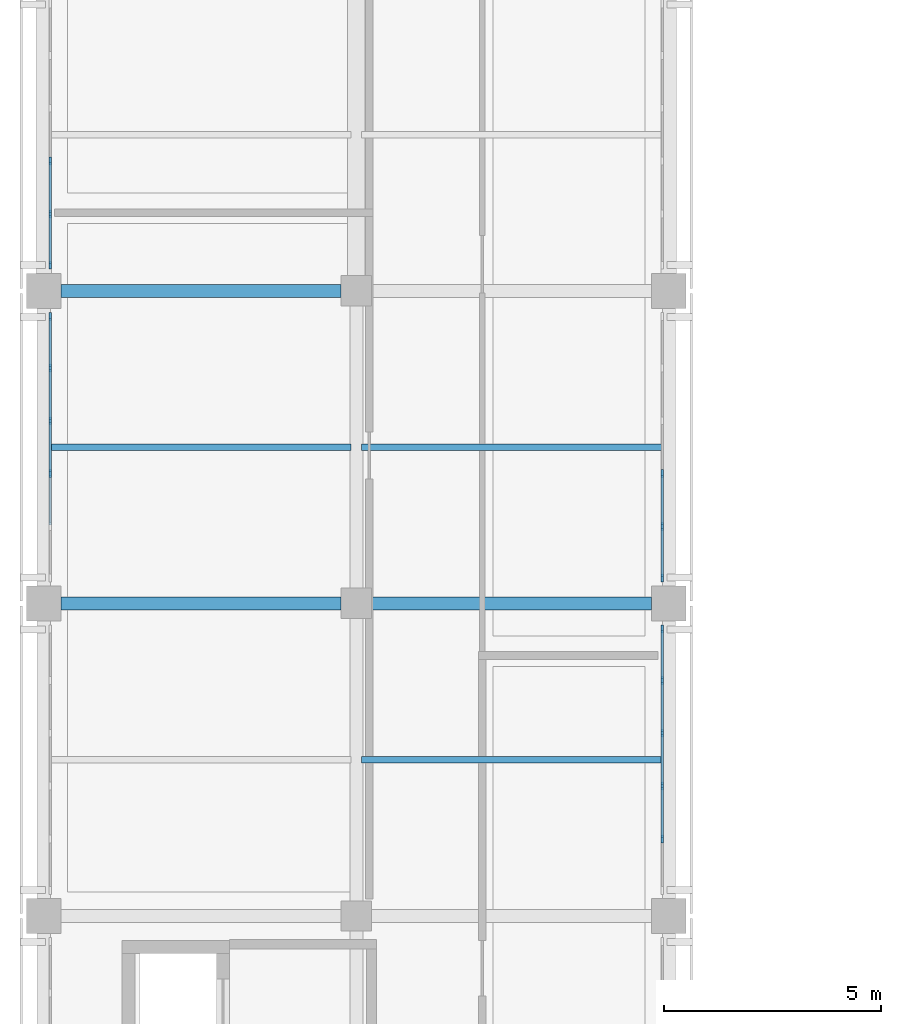
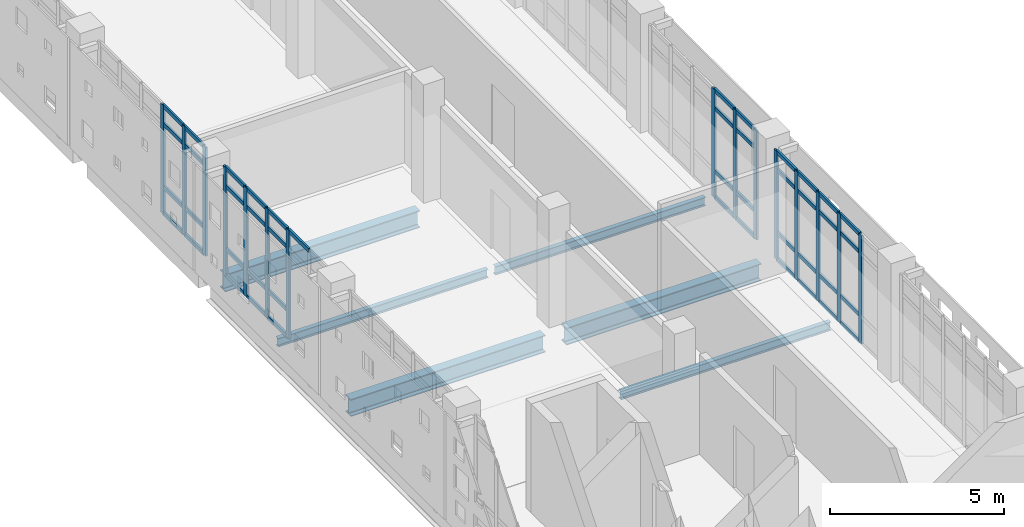
# One storey, part 10 of 33: 60 members, 6 beams, 4 elements without a shape of their own.
"""IFC4 building model written with IfcOpenShell, lengths in metres."""

from ifc_helpers import new_model, si_unit, direction, frame, origin, origin_2d, place, context, subcontext, project, spatial, rectangle, i_section, extrude, material, layer, layer_set, material_profile, profile_set, type_object, element, aggregate, save


model = new_model("IFC4")

# Units and contexts
model_context = context("Model", 3, precision=1e-05, world=origin(), true_north=direction((0.0, 1.0)))
body_context = subcontext(model_context, "Body", "Model", "MODEL_VIEW")
ifc_project = project(units=[si_unit("LENGTHUNIT", "METRE"), si_unit("AREAUNIT", "SQUARE_METRE"), si_unit("VOLUMEUNIT", "CUBIC_METRE"), si_unit("PLANEANGLEUNIT", "RADIAN"), si_unit("MASSUNIT", "GRAM", prefix="KILO")], contexts=[model_context])

# Site, building, storey
site_placement = place(None, origin())
site = spatial("IfcSite", under=ifc_project, at=site_placement, CompositionType="ELEMENT")
building_placement = place(site_placement, origin())
building = spatial("IfcBuilding", under=site, at=building_placement, Name="Valkovuoma Quantum and Materials Research Institute", CompositionType="ELEMENT")
storey_placement = place(building_placement, frame((0.0, 0.0, 25.60009765625)))
storey = spatial("IfcBuildingStorey", under=building, at=storey_placement, Name="L06", CompositionType="ELEMENT", Elevation=25.60009765625)

# Beams
ifc_material_1 = material(Name="Steel S355J2", Category="steel")
ifc_material_profile_1 = material_profile(ifc_material_1, i_section(OverallWidth=0.300048828125, OverallDepth=0.60009765625, WebThickness=0.015380859375, FlangeThickness=0.030029296875, FilletRadius=0.027099609375, at=origin_2d()), Name="Steel S355J2")
ifc_profile_set_1 = profile_set([ifc_material_profile_1], Name="Steel S355J2")
beam_type_1 = type_object("IfcBeamType", Name="Beam-B-HEB600", PredefinedType="BEAM", material=ifc_profile_set_1)
beam_1_placement = place(storey_placement, frame((0.39990234375, 50.39990234375, -0.650146484375), z_axis=(1.0, 0.0, 0.0), x_axis=(0.0, 1.0, 0.0)))
element("IfcBeam", 1, at=beam_1_placement, inside=storey, type_object=beam_type_1, Name="L06 beam X-2328", PredefinedType="BEAM", context=body_context, shape_type="SweptSolid", body=[
    extrude(i_section(OverallWidth=0.300048828125, OverallDepth=0.60009765625, WebThickness=0.015380859375, FlangeThickness=0.030029296875, FilletRadius=0.027099609375, at=origin_2d()), origin(), (0.0, 0.0, 1.0), 6.4501953125),
])
beam_2_placement = place(storey_placement, frame((7.550048828125, 50.39990234375, -0.650146484375), z_axis=(1.0, 0.0, 0.0), x_axis=(0.0, 1.0, 0.0)))
element("IfcBeam", 2, at=beam_2_placement, inside=storey, type_object=beam_type_1, Name="L06 beam X-2329", PredefinedType="BEAM", context=body_context, shape_type="SweptSolid", body=[
    extrude(i_section(OverallWidth=0.300048828125, OverallDepth=0.60009765625, WebThickness=0.015380859375, FlangeThickness=0.030029296875, FilletRadius=0.027099609375, at=origin_2d()), origin(), (0.0, 0.0, 1.0), 6.449951171875),
])
beam_3_placement = place(storey_placement, frame((0.39990234375, 57.60009765625, -0.650146484375), z_axis=(1.0, 0.0, 0.0), x_axis=(0.0, 1.0, 0.0)))
element("IfcBeam", 3, at=beam_3_placement, inside=storey, type_object=beam_type_1, Name="L06 beam X-2330", PredefinedType="BEAM", context=body_context, shape_type="SweptSolid", body=[
    extrude(i_section(OverallWidth=0.300048828125, OverallDepth=0.60009765625, WebThickness=0.015380859375, FlangeThickness=0.030029296875, FilletRadius=0.027099609375, at=origin_2d()), origin(), (0.0, 0.0, 1.0), 6.4501953125),
])
ifc_material_2 = material(Name="Steel S355J2", Category="steel")
ifc_material_profile_2 = material_profile(ifc_material_2, i_section(OverallWidth=0.14990234375, OverallDepth=0.300048828125, WebThickness=0.007080078125, FlangeThickness=0.0107421875, FilletRadius=0.014892578125, at=origin_2d()), Name="Steel S355J2")
ifc_profile_set_2 = profile_set([ifc_material_profile_2], Name="Steel S355J2")
beam_type_2 = type_object("IfcBeamType", Name="Beam-B-JST300", PredefinedType="JOIST", material=ifc_profile_set_2)
for number, where, z_axis, x_axis, name in (
    (4, (7.320068359375, 46.800048828125, -0.5), (1.0, 0.0, 0.0), (0.0, 1.0, 0.0), "L06 floor joist 2445"),
    (5, (0.1201171875, 54.0, -0.5), (1.0, 0.0, 0.0), (0.0, 1.0, 0.0), "L06 floor joist 2446"),
    (6, (7.320068359375, 54.0, -0.5), (1.0, 0.0, 0.0), (0.0, 1.0, 0.0), "L06 floor joist 2447"),
):
    element("IfcBeam", number, at=place(storey_placement, frame(where, z_axis=z_axis, x_axis=x_axis)), inside=storey, type_object=beam_type_2, Name=name, PredefinedType="JOIST", context=body_context, shape_type="SweptSolid", body=[
        extrude(i_section(OverallWidth=0.14990234375, OverallDepth=0.300048828125, WebThickness=0.007080078125, FlangeThickness=0.0107421875, FilletRadius=0.014892578125, at=origin_2d()), origin(), (0.0, 0.0, 1.0), 6.9599609375),
    ])

# Curtain wall, members
ifc_material_3 = material(Name="Thermally broken aluminium and triple low-E glazing", Category="aluminium")
ifc_layer = layer(ifc_material_3, 0.219970703125)
ifc_layer_set = layer_set([ifc_layer], Name="Thermally broken aluminium and triple low-E glazing")
curtain_wall_type = type_object("IfcCurtainWallType", Name="CW-CW-01", PredefinedType="NOTDEFINED", material=ifc_layer_set)
curtain_wall_1_placement = place(storey_placement, origin())
curtain_wall_1 = element("IfcCurtainWall", 7, at=curtain_wall_1_placement, inside=storey, type_object=curtain_wall_type, Name="L06 curtain wall 079", PredefinedType="NOTDEFINED")
ifc_material_4 = material(Name="Anodised aluminium 6060-T66", Category="aluminium")
ifc_material_profile_3 = material_profile(ifc_material_4, rectangle(XDim=0.06494140625, YDim=0.179931640625, at=origin_2d()), Name="Anodised aluminium 6060-T66")
ifc_profile_set_3 = profile_set([ifc_material_profile_3], Name="Anodised aluminium 6060-T66")
member_type_1 = type_object("IfcMemberType", Name="CWMull-CWM-01", PredefinedType="MULLION", material=ifc_profile_set_3)
member_1_placement = place(storey_placement, frame((14.25, 44.974365234375, 0.0), z_axis=(0.0, 0.0, 1.0), x_axis=(-1.0, 0.0, 0.0)))
member_1 = element("IfcMember", 8, at=member_1_placement, type_object=member_type_1, Name="CW-01 mullion 2", PredefinedType="MULLION", context=body_context, shape_type="SweptSolid", body=[
    extrude(rectangle(XDim=0.06494140625, YDim=0.179931640625, at=origin_2d()), origin(), (0.0, 0.0, 1.0), 3.809814453125),
])
member_2_placement = place(storey_placement, frame((14.25, 46.19140625, 0.0), z_axis=(0.0, 0.0, 1.0), x_axis=(-1.0, 0.0, 0.0)))
member_2 = element("IfcMember", 9, at=member_2_placement, type_object=member_type_1, Name="CW-01 mullion 3", PredefinedType="MULLION", context=body_context, shape_type="SweptSolid", body=[
    extrude(rectangle(XDim=0.06494140625, YDim=0.179931640625, at=origin_2d()), origin(), (0.0, 0.0, 1.0), 3.809814453125),
])
member_3_placement = place(storey_placement, frame((14.25, 47.40869140625, 0.0), z_axis=(0.0, 0.0, 1.0), x_axis=(-1.0, 0.0, 0.0)))
member_3 = element("IfcMember", 10, at=member_3_placement, type_object=member_type_1, Name="CW-01 mullion 4", PredefinedType="MULLION", context=body_context, shape_type="SweptSolid", body=[
    extrude(rectangle(XDim=0.06494140625, YDim=0.179931640625, at=origin_2d()), origin(), (0.0, 0.0, 1.0), 3.809814453125),
])
member_4_placement = place(storey_placement, frame((14.25, 48.625732421875, 0.0), z_axis=(0.0, 0.0, 1.0), x_axis=(-1.0, 0.0, 0.0)))
member_4 = element("IfcMember", 11, at=member_4_placement, type_object=member_type_1, Name="CW-01 mullion 5", PredefinedType="MULLION", context=body_context, shape_type="SweptSolid", body=[
    extrude(rectangle(XDim=0.06494140625, YDim=0.179931640625, at=origin_2d()), origin(), (0.0, 0.0, 1.0), 3.809814453125),
])
member_5_placement = place(storey_placement, frame((14.25, 49.810302734375, 0.0), z_axis=(0.0, 0.0, 1.0), x_axis=(-1.0, 0.0, 0.0)))
member_5 = element("IfcMember", 12, at=member_5_placement, type_object=member_type_1, Name="CW-01 mullion 6", PredefinedType="MULLION", context=body_context, shape_type="SweptSolid", body=[
    extrude(rectangle(XDim=0.06494140625, YDim=0.179931640625, at=origin_2d()), origin(), (0.0, 0.0, 1.0), 3.809814453125),
])

curtain_wall_2_placement = place(storey_placement, origin())
curtain_wall_2 = element("IfcCurtainWall", 13, at=curtain_wall_2_placement, inside=storey, type_object=curtain_wall_type, Name="L06 curtain wall 080", PredefinedType="NOTDEFINED")
member_6_placement = place(storey_placement, frame((0.14990234375, 53.391357421875, 0.0), z_axis=(0.0, 0.0, 1.0), x_axis=(-1.0, 0.0, 0.0)))
member_6 = element("IfcMember", 14, at=member_6_placement, type_object=member_type_1, Name="CW-01 mullion 3", PredefinedType="MULLION", context=body_context, shape_type="SweptSolid", body=[
    extrude(rectangle(XDim=0.06494140625, YDim=0.179931640625, at=origin_2d()), origin(), (0.0, 0.0, 1.0), 3.809814453125),
])
member_7_placement = place(storey_placement, frame((0.14990234375, 54.608642578125, 0.0), z_axis=(0.0, 0.0, 1.0), x_axis=(-1.0, 0.0, 0.0)))
member_7 = element("IfcMember", 15, at=member_7_placement, type_object=member_type_1, Name="CW-01 mullion 4", PredefinedType="MULLION", context=body_context, shape_type="SweptSolid", body=[
    extrude(rectangle(XDim=0.06494140625, YDim=0.179931640625, at=origin_2d()), origin(), (0.0, 0.0, 1.0), 3.809814453125),
])
member_8_placement = place(storey_placement, frame((0.14990234375, 55.82568359375, 0.0), z_axis=(0.0, 0.0, 1.0), x_axis=(-1.0, 0.0, 0.0)))
member_8 = element("IfcMember", 16, at=member_8_placement, type_object=member_type_1, Name="CW-01 mullion 5", PredefinedType="MULLION", context=body_context, shape_type="SweptSolid", body=[
    extrude(rectangle(XDim=0.06494140625, YDim=0.179931640625, at=origin_2d()), origin(), (0.0, 0.0, 1.0), 3.809814453125),
])
member_9_placement = place(storey_placement, frame((0.14990234375, 57.010498046875, 0.0), z_axis=(0.0, 0.0, 1.0), x_axis=(-1.0, 0.0, 0.0)))
member_9 = element("IfcMember", 17, at=member_9_placement, type_object=member_type_1, Name="CW-01 mullion 6", PredefinedType="MULLION", context=body_context, shape_type="SweptSolid", body=[
    extrude(rectangle(XDim=0.06494140625, YDim=0.179931640625, at=origin_2d()), origin(), (0.0, 0.0, 1.0), 3.809814453125),
])

curtain_wall_3_placement = place(storey_placement, origin())
curtain_wall_3 = element("IfcCurtainWall", 18, at=curtain_wall_3_placement, inside=storey, type_object=curtain_wall_type, Name="L06 curtain wall 081", PredefinedType="NOTDEFINED")
member_10_placement = place(storey_placement, frame((14.25, 50.989501953125, 0.0), z_axis=(0.0, 0.0, 1.0), x_axis=(-1.0, 0.0, 0.0)))
member_10 = element("IfcMember", 19, at=member_10_placement, type_object=member_type_1, Name="CW-01 mullion 1", PredefinedType="MULLION", context=body_context, shape_type="SweptSolid", body=[
    extrude(rectangle(XDim=0.06494140625, YDim=0.179931640625, at=origin_2d()), origin(), (0.0, 0.0, 1.0), 3.809814453125),
])
member_11_placement = place(storey_placement, frame((14.25, 52.17431640625, 0.0), z_axis=(0.0, 0.0, 1.0), x_axis=(-1.0, 0.0, 0.0)))
member_11 = element("IfcMember", 20, at=member_11_placement, type_object=member_type_1, Name="CW-01 mullion 2", PredefinedType="MULLION", context=body_context, shape_type="SweptSolid", body=[
    extrude(rectangle(XDim=0.06494140625, YDim=0.179931640625, at=origin_2d()), origin(), (0.0, 0.0, 1.0), 3.809814453125),
])
member_12_placement = place(storey_placement, frame((14.25, 53.391357421875, 0.0), z_axis=(0.0, 0.0, 1.0), x_axis=(-1.0, 0.0, 0.0)))
member_12 = element("IfcMember", 21, at=member_12_placement, type_object=member_type_1, Name="CW-01 mullion 3", PredefinedType="MULLION", context=body_context, shape_type="SweptSolid", body=[
    extrude(rectangle(XDim=0.06494140625, YDim=0.179931640625, at=origin_2d()), origin(), (0.0, 0.0, 1.0), 3.809814453125),
])

curtain_wall_4_placement = place(storey_placement, origin())
curtain_wall_4 = element("IfcCurtainWall", 22, at=curtain_wall_4_placement, inside=storey, type_object=curtain_wall_type, Name="L06 curtain wall 082", PredefinedType="NOTDEFINED")
member_13_placement = place(storey_placement, frame((0.14990234375, 58.189697265625, 0.0), z_axis=(0.0, 0.0, 1.0), x_axis=(-1.0, 0.0, 0.0)))
member_13 = element("IfcMember", 23, at=member_13_placement, type_object=member_type_1, Name="CW-01 mullion 1", PredefinedType="MULLION", context=body_context, shape_type="SweptSolid", body=[
    extrude(rectangle(XDim=0.06494140625, YDim=0.179931640625, at=origin_2d()), origin(), (0.0, 0.0, 1.0), 3.809814453125),
])
member_14_placement = place(storey_placement, frame((0.14990234375, 59.374267578125, 0.0), z_axis=(0.0, 0.0, 1.0), x_axis=(-1.0, 0.0, 0.0)))
member_14 = element("IfcMember", 24, at=member_14_placement, type_object=member_type_1, Name="CW-01 mullion 2", PredefinedType="MULLION", context=body_context, shape_type="SweptSolid", body=[
    extrude(rectangle(XDim=0.06494140625, YDim=0.179931640625, at=origin_2d()), origin(), (0.0, 0.0, 1.0), 3.809814453125),
])
member_15_placement = place(storey_placement, frame((0.14990234375, 60.59130859375, 0.0), z_axis=(0.0, 0.0, 1.0), x_axis=(-1.0, 0.0, 0.0)))
member_15 = element("IfcMember", 25, at=member_15_placement, type_object=member_type_1, Name="CW-01 mullion 3", PredefinedType="MULLION", context=body_context, shape_type="SweptSolid", body=[
    extrude(rectangle(XDim=0.06494140625, YDim=0.179931640625, at=origin_2d()), origin(), (0.0, 0.0, 1.0), 3.809814453125),
])

# Member
ifc_material_5 = material(Name="Anodised aluminium 6060-T66", Category="aluminium")
ifc_material_profile_4 = material_profile(ifc_material_5, rectangle(XDim=0.06494140625, YDim=0.139892578125, at=origin_2d()), Name="Anodised aluminium 6060-T66")
ifc_profile_set_4 = profile_set([ifc_material_profile_4], Name="Anodised aluminium 6060-T66")
member_type_2 = type_object("IfcMemberType", Name="CWTran-CWT-01", PredefinedType="USERDEFINED", material=ifc_profile_set_4)
member_16_placement = place(storey_placement, frame((14.25, 45.0068359375, 0.032470703125), z_axis=(0.0, 1.0, 0.0), x_axis=(-1.0, 0.0, 0.0)))
member_16 = element("IfcMember", 26, at=member_16_placement, type_object=member_type_2, Name="CW-01 transom 2.1", ObjectType="TRANSOM", PredefinedType="USERDEFINED", context=body_context, shape_type="SweptSolid", body=[
    extrude(rectangle(XDim=0.06494140625, YDim=0.139892578125, at=origin_2d()), origin(), (0.0, 0.0, 1.0), 1.152099609375),
])

member_17_placement = place(storey_placement, frame((14.25, 45.0068359375, 0.949951171875), z_axis=(0.0, 1.0, 0.0), x_axis=(-1.0, 0.0, 0.0)))
member_17 = element("IfcMember", 27, at=member_17_placement, type_object=member_type_2, Name="CW-01 transom 2.2", ObjectType="TRANSOM", PredefinedType="USERDEFINED", context=body_context, shape_type="SweptSolid", body=[
    extrude(rectangle(XDim=0.06494140625, YDim=0.139892578125, at=origin_2d()), origin(), (0.0, 0.0, 1.0), 1.152099609375),
])

member_18_placement = place(storey_placement, frame((14.25, 45.0068359375, 3.159912109375), z_axis=(0.0, 1.0, 0.0), x_axis=(-1.0, 0.0, 0.0)))
member_18 = element("IfcMember", 28, at=member_18_placement, type_object=member_type_2, Name="CW-01 transom 2.3", ObjectType="TRANSOM", PredefinedType="USERDEFINED", context=body_context, shape_type="SweptSolid", body=[
    extrude(rectangle(XDim=0.06494140625, YDim=0.139892578125, at=origin_2d()), origin(), (0.0, 0.0, 1.0), 1.152099609375),
])

member_19_placement = place(storey_placement, frame((14.25, 45.0068359375, 3.77734375), z_axis=(0.0, 1.0, 0.0), x_axis=(-1.0, 0.0, 0.0)))
member_19 = element("IfcMember", 29, at=member_19_placement, type_object=member_type_2, Name="CW-01 transom 2.4", ObjectType="TRANSOM", PredefinedType="USERDEFINED", context=body_context, shape_type="SweptSolid", body=[
    extrude(rectangle(XDim=0.06494140625, YDim=0.139892578125, at=origin_2d()), origin(), (0.0, 0.0, 1.0), 1.152099609375),
])

member_20_placement = place(storey_placement, frame((14.25, 46.223876953125, 0.032470703125), z_axis=(0.0, 1.0, 0.0), x_axis=(-1.0, 0.0, 0.0)))
member_20 = element("IfcMember", 30, at=member_20_placement, type_object=member_type_2, Name="CW-01 transom 3.1", ObjectType="TRANSOM", PredefinedType="USERDEFINED", context=body_context, shape_type="SweptSolid", body=[
    extrude(rectangle(XDim=0.06494140625, YDim=0.139892578125, at=origin_2d()), origin(), (0.0, 0.0, 1.0), 1.152099609375),
])

member_21_placement = place(storey_placement, frame((14.25, 46.223876953125, 0.949951171875), z_axis=(0.0, 1.0, 0.0), x_axis=(-1.0, 0.0, 0.0)))
member_21 = element("IfcMember", 31, at=member_21_placement, type_object=member_type_2, Name="CW-01 transom 3.2", ObjectType="TRANSOM", PredefinedType="USERDEFINED", context=body_context, shape_type="SweptSolid", body=[
    extrude(rectangle(XDim=0.06494140625, YDim=0.139892578125, at=origin_2d()), origin(), (0.0, 0.0, 1.0), 1.152099609375),
])

member_22_placement = place(storey_placement, frame((14.25, 46.223876953125, 3.159912109375), z_axis=(0.0, 1.0, 0.0), x_axis=(-1.0, 0.0, 0.0)))
member_22 = element("IfcMember", 32, at=member_22_placement, type_object=member_type_2, Name="CW-01 transom 3.3", ObjectType="TRANSOM", PredefinedType="USERDEFINED", context=body_context, shape_type="SweptSolid", body=[
    extrude(rectangle(XDim=0.06494140625, YDim=0.139892578125, at=origin_2d()), origin(), (0.0, 0.0, 1.0), 1.152099609375),
])

member_23_placement = place(storey_placement, frame((14.25, 46.223876953125, 3.77734375), z_axis=(0.0, 1.0, 0.0), x_axis=(-1.0, 0.0, 0.0)))
member_23 = element("IfcMember", 33, at=member_23_placement, type_object=member_type_2, Name="CW-01 transom 3.4", ObjectType="TRANSOM", PredefinedType="USERDEFINED", context=body_context, shape_type="SweptSolid", body=[
    extrude(rectangle(XDim=0.06494140625, YDim=0.139892578125, at=origin_2d()), origin(), (0.0, 0.0, 1.0), 1.152099609375),
])

member_24_placement = place(storey_placement, frame((14.25, 47.441162109375, 0.032470703125), z_axis=(0.0, 1.0, 0.0), x_axis=(-1.0, 0.0, 0.0)))
member_24 = element("IfcMember", 34, at=member_24_placement, type_object=member_type_2, Name="CW-01 transom 4.1", ObjectType="TRANSOM", PredefinedType="USERDEFINED", context=body_context, shape_type="SweptSolid", body=[
    extrude(rectangle(XDim=0.06494140625, YDim=0.139892578125, at=origin_2d()), origin(), (0.0, 0.0, 1.0), 1.152099609375),
])

member_25_placement = place(storey_placement, frame((14.25, 47.441162109375, 0.949951171875), z_axis=(0.0, 1.0, 0.0), x_axis=(-1.0, 0.0, 0.0)))
member_25 = element("IfcMember", 35, at=member_25_placement, type_object=member_type_2, Name="CW-01 transom 4.2", ObjectType="TRANSOM", PredefinedType="USERDEFINED", context=body_context, shape_type="SweptSolid", body=[
    extrude(rectangle(XDim=0.06494140625, YDim=0.139892578125, at=origin_2d()), origin(), (0.0, 0.0, 1.0), 1.152099609375),
])

member_26_placement = place(storey_placement, frame((14.25, 47.441162109375, 3.159912109375), z_axis=(0.0, 1.0, 0.0), x_axis=(-1.0, 0.0, 0.0)))
member_26 = element("IfcMember", 36, at=member_26_placement, type_object=member_type_2, Name="CW-01 transom 4.3", ObjectType="TRANSOM", PredefinedType="USERDEFINED", context=body_context, shape_type="SweptSolid", body=[
    extrude(rectangle(XDim=0.06494140625, YDim=0.139892578125, at=origin_2d()), origin(), (0.0, 0.0, 1.0), 1.152099609375),
])

member_27_placement = place(storey_placement, frame((14.25, 47.441162109375, 3.77734375), z_axis=(0.0, 1.0, 0.0), x_axis=(-1.0, 0.0, 0.0)))
member_27 = element("IfcMember", 37, at=member_27_placement, type_object=member_type_2, Name="CW-01 transom 4.4", ObjectType="TRANSOM", PredefinedType="USERDEFINED", context=body_context, shape_type="SweptSolid", body=[
    extrude(rectangle(XDim=0.06494140625, YDim=0.139892578125, at=origin_2d()), origin(), (0.0, 0.0, 1.0), 1.152099609375),
])

member_28_placement = place(storey_placement, frame((14.25, 48.658203125, 0.032470703125), z_axis=(0.0, 1.0, 0.0), x_axis=(-1.0, 0.0, 0.0)))
member_28 = element("IfcMember", 38, at=member_28_placement, type_object=member_type_2, Name="CW-01 transom 5.1", ObjectType="TRANSOM", PredefinedType="USERDEFINED", context=body_context, shape_type="SweptSolid", body=[
    extrude(rectangle(XDim=0.06494140625, YDim=0.139892578125, at=origin_2d()), origin(), (0.0, 0.0, 1.0), 1.11962890625),
])

member_29_placement = place(storey_placement, frame((14.25, 48.658203125, 0.949951171875), z_axis=(0.0, 1.0, 0.0), x_axis=(-1.0, 0.0, 0.0)))
member_29 = element("IfcMember", 39, at=member_29_placement, type_object=member_type_2, Name="CW-01 transom 5.2", ObjectType="TRANSOM", PredefinedType="USERDEFINED", context=body_context, shape_type="SweptSolid", body=[
    extrude(rectangle(XDim=0.06494140625, YDim=0.139892578125, at=origin_2d()), origin(), (0.0, 0.0, 1.0), 1.11962890625),
])

member_30_placement = place(storey_placement, frame((14.25, 48.658203125, 3.159912109375), z_axis=(0.0, 1.0, 0.0), x_axis=(-1.0, 0.0, 0.0)))
member_30 = element("IfcMember", 40, at=member_30_placement, type_object=member_type_2, Name="CW-01 transom 5.3", ObjectType="TRANSOM", PredefinedType="USERDEFINED", context=body_context, shape_type="SweptSolid", body=[
    extrude(rectangle(XDim=0.06494140625, YDim=0.139892578125, at=origin_2d()), origin(), (0.0, 0.0, 1.0), 1.11962890625),
])

member_31_placement = place(storey_placement, frame((14.25, 48.658203125, 3.77734375), z_axis=(0.0, 1.0, 0.0), x_axis=(-1.0, 0.0, 0.0)))
member_31 = element("IfcMember", 41, at=member_31_placement, type_object=member_type_2, Name="CW-01 transom 5.4", ObjectType="TRANSOM", PredefinedType="USERDEFINED", context=body_context, shape_type="SweptSolid", body=[
    extrude(rectangle(XDim=0.06494140625, YDim=0.139892578125, at=origin_2d()), origin(), (0.0, 0.0, 1.0), 1.11962890625),
])

aggregate(curtain_wall_1, [member_1, member_2, member_3, member_4, member_5, member_16, member_17, member_18, member_19, member_20, member_21, member_22, member_23, member_24, member_25, member_26, member_27, member_28, member_29, member_30, member_31])

member_32_placement = place(storey_placement, frame((0.14990234375, 52.206787109375, 3.77734375), z_axis=(0.0, 1.0, 0.0), x_axis=(-1.0, 0.0, 0.0)))
member_32 = element("IfcMember", 42, at=member_32_placement, type_object=member_type_2, Name="CW-01 transom 2.4", ObjectType="TRANSOM", PredefinedType="USERDEFINED", context=body_context, shape_type="SweptSolid", body=[
    extrude(rectangle(XDim=0.06494140625, YDim=0.139892578125, at=origin_2d()), origin(), (0.0, 0.0, 1.0), 1.152099609375),
])

member_33_placement = place(storey_placement, frame((0.14990234375, 53.423828125, 0.032470703125), z_axis=(0.0, 1.0, 0.0), x_axis=(-1.0, 0.0, 0.0)))
member_33 = element("IfcMember", 43, at=member_33_placement, type_object=member_type_2, Name="CW-01 transom 3.1", ObjectType="TRANSOM", PredefinedType="USERDEFINED", context=body_context, shape_type="SweptSolid", body=[
    extrude(rectangle(XDim=0.06494140625, YDim=0.139892578125, at=origin_2d()), origin(), (0.0, 0.0, 1.0), 1.15234375),
])

member_34_placement = place(storey_placement, frame((0.14990234375, 53.423828125, 0.949951171875), z_axis=(0.0, 1.0, 0.0), x_axis=(-1.0, 0.0, 0.0)))
member_34 = element("IfcMember", 44, at=member_34_placement, type_object=member_type_2, Name="CW-01 transom 3.2", ObjectType="TRANSOM", PredefinedType="USERDEFINED", context=body_context, shape_type="SweptSolid", body=[
    extrude(rectangle(XDim=0.06494140625, YDim=0.139892578125, at=origin_2d()), origin(), (0.0, 0.0, 1.0), 1.15234375),
])

member_35_placement = place(storey_placement, frame((0.14990234375, 53.423828125, 3.159912109375), z_axis=(0.0, 1.0, 0.0), x_axis=(-1.0, 0.0, 0.0)))
member_35 = element("IfcMember", 45, at=member_35_placement, type_object=member_type_2, Name="CW-01 transom 3.3", ObjectType="TRANSOM", PredefinedType="USERDEFINED", context=body_context, shape_type="SweptSolid", body=[
    extrude(rectangle(XDim=0.06494140625, YDim=0.139892578125, at=origin_2d()), origin(), (0.0, 0.0, 1.0), 1.15234375),
])

member_36_placement = place(storey_placement, frame((0.14990234375, 53.423828125, 3.77734375), z_axis=(0.0, 1.0, 0.0), x_axis=(-1.0, 0.0, 0.0)))
member_36 = element("IfcMember", 46, at=member_36_placement, type_object=member_type_2, Name="CW-01 transom 3.4", ObjectType="TRANSOM", PredefinedType="USERDEFINED", context=body_context, shape_type="SweptSolid", body=[
    extrude(rectangle(XDim=0.06494140625, YDim=0.139892578125, at=origin_2d()), origin(), (0.0, 0.0, 1.0), 1.15234375),
])

member_37_placement = place(storey_placement, frame((0.14990234375, 54.64111328125, 0.032470703125), z_axis=(0.0, 1.0, 0.0), x_axis=(-1.0, 0.0, 0.0)))
member_37 = element("IfcMember", 47, at=member_37_placement, type_object=member_type_2, Name="CW-01 transom 4.1", ObjectType="TRANSOM", PredefinedType="USERDEFINED", context=body_context, shape_type="SweptSolid", body=[
    extrude(rectangle(XDim=0.06494140625, YDim=0.139892578125, at=origin_2d()), origin(), (0.0, 0.0, 1.0), 1.152099609375),
])

member_38_placement = place(storey_placement, frame((0.14990234375, 54.64111328125, 0.949951171875), z_axis=(0.0, 1.0, 0.0), x_axis=(-1.0, 0.0, 0.0)))
member_38 = element("IfcMember", 48, at=member_38_placement, type_object=member_type_2, Name="CW-01 transom 4.2", ObjectType="TRANSOM", PredefinedType="USERDEFINED", context=body_context, shape_type="SweptSolid", body=[
    extrude(rectangle(XDim=0.06494140625, YDim=0.139892578125, at=origin_2d()), origin(), (0.0, 0.0, 1.0), 1.152099609375),
])

member_39_placement = place(storey_placement, frame((0.14990234375, 54.64111328125, 3.159912109375), z_axis=(0.0, 1.0, 0.0), x_axis=(-1.0, 0.0, 0.0)))
member_39 = element("IfcMember", 49, at=member_39_placement, type_object=member_type_2, Name="CW-01 transom 4.3", ObjectType="TRANSOM", PredefinedType="USERDEFINED", context=body_context, shape_type="SweptSolid", body=[
    extrude(rectangle(XDim=0.06494140625, YDim=0.139892578125, at=origin_2d()), origin(), (0.0, 0.0, 1.0), 1.152099609375),
])

member_40_placement = place(storey_placement, frame((0.14990234375, 54.64111328125, 3.77734375), z_axis=(0.0, 1.0, 0.0), x_axis=(-1.0, 0.0, 0.0)))
member_40 = element("IfcMember", 50, at=member_40_placement, type_object=member_type_2, Name="CW-01 transom 4.4", ObjectType="TRANSOM", PredefinedType="USERDEFINED", context=body_context, shape_type="SweptSolid", body=[
    extrude(rectangle(XDim=0.06494140625, YDim=0.139892578125, at=origin_2d()), origin(), (0.0, 0.0, 1.0), 1.152099609375),
])

member_41_placement = place(storey_placement, frame((0.14990234375, 55.858154296875, 0.032470703125), z_axis=(0.0, 1.0, 0.0), x_axis=(-1.0, 0.0, 0.0)))
member_41 = element("IfcMember", 51, at=member_41_placement, type_object=member_type_2, Name="CW-01 transom 5.1", ObjectType="TRANSOM", PredefinedType="USERDEFINED", context=body_context, shape_type="SweptSolid", body=[
    extrude(rectangle(XDim=0.06494140625, YDim=0.139892578125, at=origin_2d()), origin(), (0.0, 0.0, 1.0), 1.11962890625),
])

member_42_placement = place(storey_placement, frame((0.14990234375, 55.858154296875, 0.949951171875), z_axis=(0.0, 1.0, 0.0), x_axis=(-1.0, 0.0, 0.0)))
member_42 = element("IfcMember", 52, at=member_42_placement, type_object=member_type_2, Name="CW-01 transom 5.2", ObjectType="TRANSOM", PredefinedType="USERDEFINED", context=body_context, shape_type="SweptSolid", body=[
    extrude(rectangle(XDim=0.06494140625, YDim=0.139892578125, at=origin_2d()), origin(), (0.0, 0.0, 1.0), 1.11962890625),
])

member_43_placement = place(storey_placement, frame((0.14990234375, 55.858154296875, 3.159912109375), z_axis=(0.0, 1.0, 0.0), x_axis=(-1.0, 0.0, 0.0)))
member_43 = element("IfcMember", 53, at=member_43_placement, type_object=member_type_2, Name="CW-01 transom 5.3", ObjectType="TRANSOM", PredefinedType="USERDEFINED", context=body_context, shape_type="SweptSolid", body=[
    extrude(rectangle(XDim=0.06494140625, YDim=0.139892578125, at=origin_2d()), origin(), (0.0, 0.0, 1.0), 1.11962890625),
])

member_44_placement = place(storey_placement, frame((0.14990234375, 55.858154296875, 3.77734375), z_axis=(0.0, 1.0, 0.0), x_axis=(-1.0, 0.0, 0.0)))
member_44 = element("IfcMember", 54, at=member_44_placement, type_object=member_type_2, Name="CW-01 transom 5.4", ObjectType="TRANSOM", PredefinedType="USERDEFINED", context=body_context, shape_type="SweptSolid", body=[
    extrude(rectangle(XDim=0.06494140625, YDim=0.139892578125, at=origin_2d()), origin(), (0.0, 0.0, 1.0), 1.11962890625),
])

aggregate(curtain_wall_2, [member_6, member_7, member_8, member_9, member_32, member_33, member_34, member_35, member_36, member_37, member_38, member_39, member_40, member_41, member_42, member_43, member_44])

member_45_placement = place(storey_placement, frame((14.25, 51.022216796875, 0.032470703125), z_axis=(0.0, 1.0, 0.0), x_axis=(-1.0, 0.0, 0.0)))
member_45 = element("IfcMember", 55, at=member_45_placement, type_object=member_type_2, Name="CW-01 transom 1.1", ObjectType="TRANSOM", PredefinedType="USERDEFINED", context=body_context, shape_type="SweptSolid", body=[
    extrude(rectangle(XDim=0.06494140625, YDim=0.139892578125, at=origin_2d()), origin(), (0.0, 0.0, 1.0), 1.11962890625),
])

member_46_placement = place(storey_placement, frame((14.25, 51.022216796875, 0.949951171875), z_axis=(0.0, 1.0, 0.0), x_axis=(-1.0, 0.0, 0.0)))
member_46 = element("IfcMember", 56, at=member_46_placement, type_object=member_type_2, Name="CW-01 transom 1.2", ObjectType="TRANSOM", PredefinedType="USERDEFINED", context=body_context, shape_type="SweptSolid", body=[
    extrude(rectangle(XDim=0.06494140625, YDim=0.139892578125, at=origin_2d()), origin(), (0.0, 0.0, 1.0), 1.11962890625),
])

member_47_placement = place(storey_placement, frame((14.25, 51.022216796875, 3.159912109375), z_axis=(0.0, 1.0, 0.0), x_axis=(-1.0, 0.0, 0.0)))
member_47 = element("IfcMember", 57, at=member_47_placement, type_object=member_type_2, Name="CW-01 transom 1.3", ObjectType="TRANSOM", PredefinedType="USERDEFINED", context=body_context, shape_type="SweptSolid", body=[
    extrude(rectangle(XDim=0.06494140625, YDim=0.139892578125, at=origin_2d()), origin(), (0.0, 0.0, 1.0), 1.11962890625),
])

member_48_placement = place(storey_placement, frame((14.25, 51.022216796875, 3.77734375), z_axis=(0.0, 1.0, 0.0), x_axis=(-1.0, 0.0, 0.0)))
member_48 = element("IfcMember", 58, at=member_48_placement, type_object=member_type_2, Name="CW-01 transom 1.4", ObjectType="TRANSOM", PredefinedType="USERDEFINED", context=body_context, shape_type="SweptSolid", body=[
    extrude(rectangle(XDim=0.06494140625, YDim=0.139892578125, at=origin_2d()), origin(), (0.0, 0.0, 1.0), 1.11962890625),
])

member_49_placement = place(storey_placement, frame((14.25, 52.206787109375, 0.032470703125), z_axis=(0.0, 1.0, 0.0), x_axis=(-1.0, 0.0, 0.0)))
member_49 = element("IfcMember", 59, at=member_49_placement, type_object=member_type_2, Name="CW-01 transom 2.1", ObjectType="TRANSOM", PredefinedType="USERDEFINED", context=body_context, shape_type="SweptSolid", body=[
    extrude(rectangle(XDim=0.06494140625, YDim=0.139892578125, at=origin_2d()), origin(), (0.0, 0.0, 1.0), 1.152099609375),
])

member_50_placement = place(storey_placement, frame((14.25, 52.206787109375, 0.949951171875), z_axis=(0.0, 1.0, 0.0), x_axis=(-1.0, 0.0, 0.0)))
member_50 = element("IfcMember", 60, at=member_50_placement, type_object=member_type_2, Name="CW-01 transom 2.2", ObjectType="TRANSOM", PredefinedType="USERDEFINED", context=body_context, shape_type="SweptSolid", body=[
    extrude(rectangle(XDim=0.06494140625, YDim=0.139892578125, at=origin_2d()), origin(), (0.0, 0.0, 1.0), 1.152099609375),
])

member_51_placement = place(storey_placement, frame((14.25, 52.206787109375, 3.159912109375), z_axis=(0.0, 1.0, 0.0), x_axis=(-1.0, 0.0, 0.0)))
member_51 = element("IfcMember", 61, at=member_51_placement, type_object=member_type_2, Name="CW-01 transom 2.3", ObjectType="TRANSOM", PredefinedType="USERDEFINED", context=body_context, shape_type="SweptSolid", body=[
    extrude(rectangle(XDim=0.06494140625, YDim=0.139892578125, at=origin_2d()), origin(), (0.0, 0.0, 1.0), 1.152099609375),
])

member_52_placement = place(storey_placement, frame((14.25, 52.206787109375, 3.77734375), z_axis=(0.0, 1.0, 0.0), x_axis=(-1.0, 0.0, 0.0)))
member_52 = element("IfcMember", 62, at=member_52_placement, type_object=member_type_2, Name="CW-01 transom 2.4", ObjectType="TRANSOM", PredefinedType="USERDEFINED", context=body_context, shape_type="SweptSolid", body=[
    extrude(rectangle(XDim=0.06494140625, YDim=0.139892578125, at=origin_2d()), origin(), (0.0, 0.0, 1.0), 1.152099609375),
])

aggregate(curtain_wall_3, [member_10, member_11, member_12, member_45, member_46, member_47, member_48, member_49, member_50, member_51, member_52])

member_53_placement = place(storey_placement, frame((0.14990234375, 58.22216796875, 0.032470703125), z_axis=(0.0, 1.0, 0.0), x_axis=(-1.0, 0.0, 0.0)))
member_53 = element("IfcMember", 63, at=member_53_placement, type_object=member_type_2, Name="CW-01 transom 1.1", ObjectType="TRANSOM", PredefinedType="USERDEFINED", context=body_context, shape_type="SweptSolid", body=[
    extrude(rectangle(XDim=0.06494140625, YDim=0.139892578125, at=origin_2d()), origin(), (0.0, 0.0, 1.0), 1.11962890625),
])

member_54_placement = place(storey_placement, frame((0.14990234375, 58.22216796875, 0.949951171875), z_axis=(0.0, 1.0, 0.0), x_axis=(-1.0, 0.0, 0.0)))
member_54 = element("IfcMember", 64, at=member_54_placement, type_object=member_type_2, Name="CW-01 transom 1.2", ObjectType="TRANSOM", PredefinedType="USERDEFINED", context=body_context, shape_type="SweptSolid", body=[
    extrude(rectangle(XDim=0.06494140625, YDim=0.139892578125, at=origin_2d()), origin(), (0.0, 0.0, 1.0), 1.11962890625),
])

member_55_placement = place(storey_placement, frame((0.14990234375, 58.22216796875, 3.159912109375), z_axis=(0.0, 1.0, 0.0), x_axis=(-1.0, 0.0, 0.0)))
member_55 = element("IfcMember", 65, at=member_55_placement, type_object=member_type_2, Name="CW-01 transom 1.3", ObjectType="TRANSOM", PredefinedType="USERDEFINED", context=body_context, shape_type="SweptSolid", body=[
    extrude(rectangle(XDim=0.06494140625, YDim=0.139892578125, at=origin_2d()), origin(), (0.0, 0.0, 1.0), 1.11962890625),
])

member_56_placement = place(storey_placement, frame((0.14990234375, 58.22216796875, 3.77734375), z_axis=(0.0, 1.0, 0.0), x_axis=(-1.0, 0.0, 0.0)))
member_56 = element("IfcMember", 66, at=member_56_placement, type_object=member_type_2, Name="CW-01 transom 1.4", ObjectType="TRANSOM", PredefinedType="USERDEFINED", context=body_context, shape_type="SweptSolid", body=[
    extrude(rectangle(XDim=0.06494140625, YDim=0.139892578125, at=origin_2d()), origin(), (0.0, 0.0, 1.0), 1.11962890625),
])

member_57_placement = place(storey_placement, frame((0.14990234375, 59.40673828125, 0.032470703125), z_axis=(0.0, 1.0, 0.0), x_axis=(-1.0, 0.0, 0.0)))
member_57 = element("IfcMember", 67, at=member_57_placement, type_object=member_type_2, Name="CW-01 transom 2.1", ObjectType="TRANSOM", PredefinedType="USERDEFINED", context=body_context, shape_type="SweptSolid", body=[
    extrude(rectangle(XDim=0.06494140625, YDim=0.139892578125, at=origin_2d()), origin(), (0.0, 0.0, 1.0), 1.152099609375),
])

member_58_placement = place(storey_placement, frame((0.14990234375, 59.40673828125, 0.949951171875), z_axis=(0.0, 1.0, 0.0), x_axis=(-1.0, 0.0, 0.0)))
member_58 = element("IfcMember", 68, at=member_58_placement, type_object=member_type_2, Name="CW-01 transom 2.2", ObjectType="TRANSOM", PredefinedType="USERDEFINED", context=body_context, shape_type="SweptSolid", body=[
    extrude(rectangle(XDim=0.06494140625, YDim=0.139892578125, at=origin_2d()), origin(), (0.0, 0.0, 1.0), 1.152099609375),
])

member_59_placement = place(storey_placement, frame((0.14990234375, 59.40673828125, 3.159912109375), z_axis=(0.0, 1.0, 0.0), x_axis=(-1.0, 0.0, 0.0)))
member_59 = element("IfcMember", 69, at=member_59_placement, type_object=member_type_2, Name="CW-01 transom 2.3", ObjectType="TRANSOM", PredefinedType="USERDEFINED", context=body_context, shape_type="SweptSolid", body=[
    extrude(rectangle(XDim=0.06494140625, YDim=0.139892578125, at=origin_2d()), origin(), (0.0, 0.0, 1.0), 1.152099609375),
])

member_60_placement = place(storey_placement, frame((0.14990234375, 59.40673828125, 3.77734375), z_axis=(0.0, 1.0, 0.0), x_axis=(-1.0, 0.0, 0.0)))
member_60 = element("IfcMember", 70, at=member_60_placement, type_object=member_type_2, Name="CW-01 transom 2.4", ObjectType="TRANSOM", PredefinedType="USERDEFINED", context=body_context, shape_type="SweptSolid", body=[
    extrude(rectangle(XDim=0.06494140625, YDim=0.139892578125, at=origin_2d()), origin(), (0.0, 0.0, 1.0), 1.152099609375),
])

aggregate(curtain_wall_4, [member_13, member_14, member_15, member_53, member_54, member_55, member_56, member_57, member_58, member_59, member_60])

save(model, "model.ifc")
